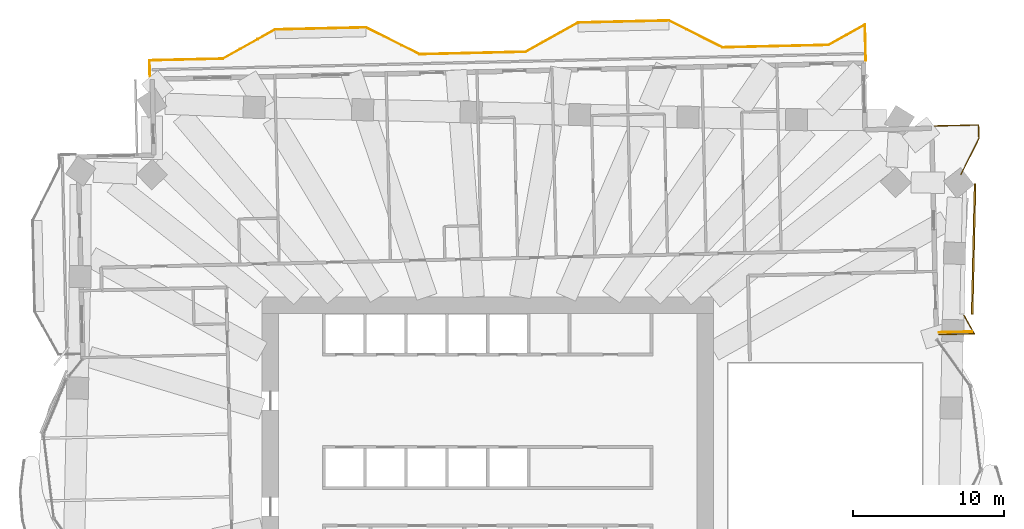
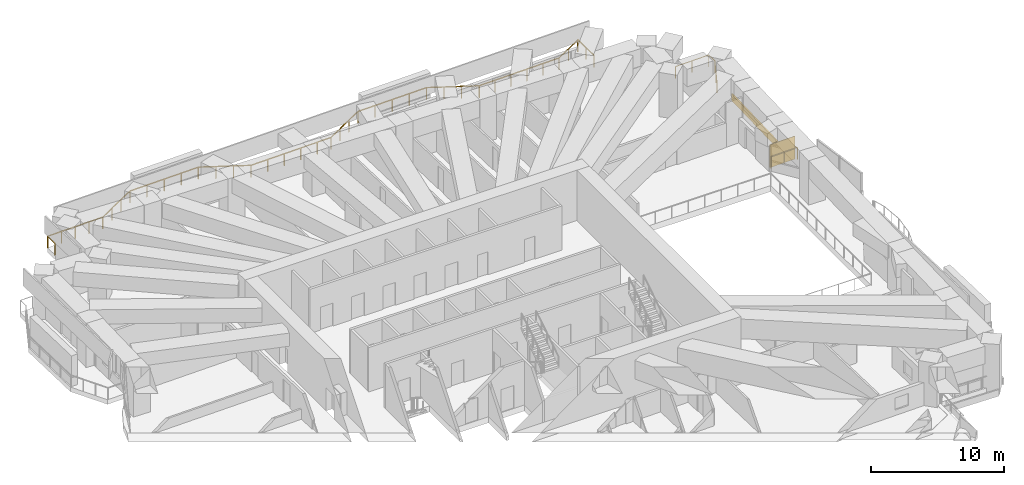
# One storey, part 20 of 20: 3 railings, 1 covering, 1 shading device.
"""IFC4 building model written with IfcOpenShell, lengths in metres."""

from ifc_helpers import new_model, si_unit, direction, frame, frame_2d, origin, origin_2d, place, context, subcontext, project, spatial, rectangle, extrude, material, layer, layer_set, type_object, element, save


model = new_model("IFC4")

# Units and contexts
model_context = context("Model", 3, precision=1e-05, world=origin(), true_north=direction((0.0, 1.0)))
body_context = subcontext(model_context, "Body", "Model", "MODEL_VIEW")
ifc_project = project(units=[si_unit("LENGTHUNIT", "METRE"), si_unit("AREAUNIT", "SQUARE_METRE"), si_unit("VOLUMEUNIT", "CUBIC_METRE"), si_unit("PLANEANGLEUNIT", "RADIAN"), si_unit("MASSUNIT", "GRAM", prefix="KILO")], contexts=[model_context])

# Site, building, storey
site_placement = place(None, origin())
site = spatial("IfcSite", under=ifc_project, at=site_placement, CompositionType="ELEMENT")
building_placement = place(site_placement, origin())
building = spatial("IfcBuilding", under=site, at=building_placement, Name="Mangrove Gate Tower", CompositionType="ELEMENT")
storey_placement = place(building_placement, frame((0.0, 0.0, 74.699951171875)))
storey = spatial("IfcBuildingStorey", under=building, at=storey_placement, Name="L18", CompositionType="ELEMENT", Elevation=74.699951171875)

# Railings
ifc_material_1 = material(Name="Stainless steel grade 316 with laminated glass infill", Category="steel")
railing_type = type_object("IfcRailingType", Name="Balcony guard 1100", PredefinedType="GUARDRAIL", material=ifc_material_1)
railing_1_placement = place(storey_placement, frame((29.806884765625, 9.4169921875, 0.0)))
element("IfcRailing", 1, at=railing_1_placement, inside=storey, type_object=railing_type, Name="GUARD L18 E2", PredefinedType="GUARDRAIL", context=body_context, shape_type="SweptSolid", body=[
    extrude(rectangle(XDim=0.048095703125, YDim=0.048095703125, at=origin_2d()), frame((0.0, 0.0, 1.076171875), z_axis=(0.9997382857, 0.022877065063, 0.0), x_axis=(-0.022877065063, 0.9997382857, 0.0)), (0.0, 0.0, 1.0), 2.315673828125),
    extrude(rectangle(XDim=0.048095703125, YDim=0.048095703125, at=origin_2d()), frame((2.315185546875, 0.052978515625, 1.076171875), z_axis=(-0.487400691487, 0.873178427321, 0.0), x_axis=(-0.873178427321, -0.487400691487, 0.0)), (0.0, 0.0, 1.0), 1.37890625),
    extrude(rectangle(XDim=0.0419921875, YDim=0.0419921875, at=origin_2d()), origin(), (0.0, 0.0, 1.0), 1.052001953125),
    extrude(rectangle(XDim=0.0419921875, YDim=0.0419921875, at=origin_2d()), frame((1.15771484375, 0.0263671875, 0.0)), (0.0, 0.0, 1.0), 1.052001953125),
    extrude(rectangle(XDim=0.0419921875, YDim=0.0419921875, at=origin_2d()), frame((2.315185546875, 0.052978515625, 0.0)), (0.0, 0.0, 1.0), 1.052001953125),
    extrude(rectangle(XDim=0.0419921875, YDim=0.0419921875, at=origin_2d()), frame((1.64306640625, 1.257080078125, 0.0)), (0.0, 0.0, 1.0), 1.052001953125),
])
railing_2_placement = place(storey_placement, frame((31.23388671875, 19.97509765625, 0.0)))
element("IfcRailing", 2, at=railing_2_placement, inside=storey, type_object=railing_type, Name="GUARD L18 E3", PredefinedType="GUARDRAIL", context=body_context, shape_type="SweptSolid", body=[
    extrude(rectangle(XDim=0.048095703125, YDim=0.048095703125, at=origin_2d()), frame((0.0, 0.0, 1.076171875), z_axis=(0.447286994937, 0.894390487517, 0.0), x_axis=(-0.894390487517, 0.447286994937, 0.0)), (0.0, 0.0, 1.0), 2.660888671875),
    extrude(rectangle(XDim=0.048095703125, YDim=0.048095703125, at=origin_2d()), frame((1.190185546875, 2.3798828125, 1.076171875), z_axis=(-0.022264984402, 0.999752104509, 0.0), x_axis=(-0.999752104509, -0.022264984402, 0.0)), (0.0, 0.0, 1.0), 0.899169921875),
    extrude(rectangle(XDim=0.048095703125, YDim=0.048095703125, at=origin_2d()), frame((1.170166015625, 3.27880859375, 1.076171875), z_axis=(-0.999743349437, -0.022654696127, 0.0), x_axis=(0.022654696127, -0.999743349437, 0.0)), (0.0, 0.0, 1.0), 2.90966796875),
    extrude(rectangle(XDim=0.0419921875, YDim=0.0419921875, at=origin_2d()), origin(), (0.0, 0.0, 1.0), 1.052001953125),
    extrude(rectangle(XDim=0.0419921875, YDim=0.0419921875, at=origin_2d()), frame((0.59521484375, 1.18994140625, 0.0)), (0.0, 0.0, 1.0), 1.052001953125),
    extrude(rectangle(XDim=0.0419921875, YDim=0.0419921875, at=origin_2d()), frame((1.190185546875, 2.3798828125, 0.0)), (0.0, 0.0, 1.0), 1.052001953125),
    extrude(rectangle(XDim=0.0419921875, YDim=0.0419921875, at=origin_2d()), frame((1.170166015625, 3.27880859375, 0.0)), (0.0, 0.0, 1.0), 1.052001953125),
    extrude(rectangle(XDim=0.0419921875, YDim=0.0419921875, at=origin_2d()), frame((-0.2841796875, 3.245849609375, 0.0)), (0.0, 0.0, 1.0), 1.052001953125),
    extrude(rectangle(XDim=0.0419921875, YDim=0.0419921875, at=origin_2d()), frame((-1.73876953125, 3.212890625, 0.0)), (0.0, 0.0, 1.0), 1.052001953125),
])
railing_3_placement = place(storey_placement, frame((24.955078125, 27.527099609375, 0.0)))
element("IfcRailing", 3, at=railing_3_placement, inside=storey, type_object=railing_type, Name="GUARD L18 N1", PredefinedType="GUARDRAIL", context=body_context, shape_type="SweptSolid", body=[
    extrude(rectangle(XDim=0.048095703125, YDim=0.048095703125, at=origin_2d()), frame((0.0, 0.0, 1.076171875), z_axis=(-0.022567849065, 0.999745313662, 0.0), x_axis=(-0.999745313662, -0.022567849065, 0.0)), (0.0, 0.0, 1.0), 2.347412109375),
    extrude(rectangle(XDim=0.048095703125, YDim=0.048095703125, at=origin_2d()), frame((-0.052978515625, 2.346923828125, 1.076171875), z_axis=(-0.873177532783, -0.487402294048, 0.0), x_axis=(0.487402294048, -0.873177532783, 0.0)), (0.0, 0.0, 1.0), 2.75537109375),
    extrude(rectangle(XDim=0.048095703125, YDim=0.048095703125, at=origin_2d()), frame((-2.458984375, 1.00390625, 1.076171875), z_axis=(-0.999742267452, -0.022702393474, 0.0), x_axis=(0.022702393474, -0.999742267452, 0.0)), (0.0, 0.0, 1.0), 7.000732421875),
    extrude(rectangle(XDim=0.048095703125, YDim=0.048095703125, at=origin_2d()), frame((-9.4580078125, 0.844970703125, 1.076171875), z_axis=(-0.894476522376, 0.447114919141, 0.0), x_axis=(-0.447114919141, -0.894476522376, 0.0)), (0.0, 0.0, 1.0), 3.958740234375),
    extrude(rectangle(XDim=0.048095703125, YDim=0.048095703125, at=origin_2d()), frame((-12.9990234375, 2.614990234375, 1.076171875), z_axis=(-0.999743094499, -0.022665943652, 0.0), x_axis=(0.022665943652, -0.999743094499, 0.0)), (0.0, 0.0, 1.0), 5.99951171875),
    extrude(rectangle(XDim=0.048095703125, YDim=0.048095703125, at=origin_2d()), frame((-18.9970703125, 2.47900390625, 1.076171875), z_axis=(-0.873230657876, -0.487307108654, 0.0), x_axis=(0.487307108654, -0.873230657876, 0.0)), (0.0, 0.0, 1.0), 3.958984375),
    extrude(rectangle(XDim=0.048095703125, YDim=0.048095703125, at=origin_2d()), frame((-22.4541015625, 0.5498046875, 1.076171875), z_axis=(-0.99974965137, -0.022374865036, 0.0), x_axis=(0.022374865036, -0.99974965137, 0.0)), (0.0, 0.0, 1.0), 1.2001953125),
    extrude(rectangle(XDim=0.048095703125, YDim=0.048095703125, at=origin_2d()), frame((-23.654052734375, 0.52294921875, 1.076171875), z_axis=(-0.999740638867, -0.0227739983, 0.0), x_axis=(0.0227739983, -0.999740638867, 0.0)), (0.0, 0.0, 1.0), 5.799560546875),
    extrude(rectangle(XDim=0.048095703125, YDim=0.048095703125, at=origin_2d()), frame((-29.4521484375, 0.390869140625, 1.076171875), z_axis=(-0.894427191, 0.4472135955, 0.0), x_axis=(-0.4472135955, -0.894427191, 0.0)), (0.0, 0.0, 1.0), 3.9599609375),
    extrude(rectangle(XDim=0.048095703125, YDim=0.048095703125, at=origin_2d()), frame((-32.994140625, 2.161865234375, 1.076171875), z_axis=(-0.999739392852, -0.022828630714, 0.0), x_axis=(0.022828630714, -0.999739392852, 0.0)), (0.0, 0.0, 1.0), 5.99951171875),
    extrude(rectangle(XDim=0.048095703125, YDim=0.048095703125, at=origin_2d()), frame((-38.9921875, 2.02490234375, 1.076171875), z_axis=(-0.873242256246, -0.487286324359, 0.0), x_axis=(0.487286324359, -0.873242256246, 0.0)), (0.0, 0.0, 1.0), 3.95849609375),
    extrude(rectangle(XDim=0.048095703125, YDim=0.048095703125, at=origin_2d()), frame((-42.448974609375, 0.095947265625, 1.076171875), z_axis=(-0.999745393509, -0.022564311583, 0.0), x_axis=(0.022564311583, -0.999745393509, 0.0)), (0.0, 0.0, 1.0), 4.83642578125),
    extrude(rectangle(XDim=0.048095703125, YDim=0.048095703125, at=origin_2d()), frame((-47.2841796875, -0.01318359375, 1.076171875), z_axis=(0.022799876723, -0.999740049023, 0.0), x_axis=(0.999740049023, 0.022799876723, 0.0)), (0.0, 0.0, 1.0), 1.06005859375),
    extrude(rectangle(XDim=0.0419921875, YDim=0.0419921875, at=origin_2d()), origin(), (0.0, 0.0, 1.0), 1.052001953125),
    extrude(rectangle(XDim=0.0419921875, YDim=0.0419921875, at=origin_2d()), frame((-0.0263671875, 1.17333984375, 0.0)), (0.0, 0.0, 1.0), 1.052001953125),
    extrude(rectangle(XDim=0.0419921875, YDim=0.0419921875, at=origin_2d()), frame((-0.052978515625, 2.346923828125, 0.0)), (0.0, 0.0, 1.0), 1.052001953125),
    extrude(rectangle(XDim=0.0419921875, YDim=0.0419921875, at=origin_2d()), frame((-1.255859375, 1.67529296875, 0.0)), (0.0, 0.0, 1.0), 1.052001953125),
    extrude(rectangle(XDim=0.0419921875, YDim=0.0419921875, at=origin_2d()), frame((-2.458984375, 1.00390625, 0.0)), (0.0, 0.0, 1.0), 1.052001953125),
    extrude(rectangle(XDim=0.0419921875, YDim=0.0419921875, at=origin_2d()), frame((-3.85888671875, 0.97216796875, 0.0)), (0.0, 0.0, 1.0), 1.052001953125),
    extrude(rectangle(XDim=0.0419921875, YDim=0.0419921875, at=origin_2d()), frame((-5.258544921875, 0.9404296875, 0.0)), (0.0, 0.0, 1.0), 1.052001953125),
    extrude(rectangle(XDim=0.0419921875, YDim=0.0419921875, at=origin_2d()), frame((-6.658447265625, 0.908447265625, 0.0)), (0.0, 0.0, 1.0), 1.052001953125),
    extrude(rectangle(XDim=0.0419921875, YDim=0.0419921875, at=origin_2d()), frame((-8.05810546875, 0.876708984375, 0.0)), (0.0, 0.0, 1.0), 1.052001953125),
    extrude(rectangle(XDim=0.0419921875, YDim=0.0419921875, at=origin_2d()), frame((-9.4580078125, 0.844970703125, 0.0)), (0.0, 0.0, 1.0), 1.052001953125),
    extrude(rectangle(XDim=0.0419921875, YDim=0.0419921875, at=origin_2d()), frame((-10.638427734375, 1.43505859375, 0.0)), (0.0, 0.0, 1.0), 1.052001953125),
    extrude(rectangle(XDim=0.0419921875, YDim=0.0419921875, at=origin_2d()), frame((-11.818603515625, 2.02490234375, 0.0)), (0.0, 0.0, 1.0), 1.052001953125),
    extrude(rectangle(XDim=0.0419921875, YDim=0.0419921875, at=origin_2d()), frame((-12.9990234375, 2.614990234375, 0.0)), (0.0, 0.0, 1.0), 1.052001953125),
    extrude(rectangle(XDim=0.0419921875, YDim=0.0419921875, at=origin_2d()), frame((-14.49853515625, 2.5810546875, 0.0)), (0.0, 0.0, 1.0), 1.052001953125),
    extrude(rectangle(XDim=0.0419921875, YDim=0.0419921875, at=origin_2d()), frame((-15.998046875, 2.546875, 0.0)), (0.0, 0.0, 1.0), 1.052001953125),
    extrude(rectangle(XDim=0.0419921875, YDim=0.0419921875, at=origin_2d()), frame((-17.49755859375, 2.512939453125, 0.0)), (0.0, 0.0, 1.0), 1.052001953125),
    extrude(rectangle(XDim=0.0419921875, YDim=0.0419921875, at=origin_2d()), frame((-18.9970703125, 2.47900390625, 0.0)), (0.0, 0.0, 1.0), 1.052001953125),
    extrude(rectangle(XDim=0.0419921875, YDim=0.0419921875, at=origin_2d()), frame((-20.1494140625, 1.8359375, 0.0)), (0.0, 0.0, 1.0), 1.052001953125),
    extrude(rectangle(XDim=0.0419921875, YDim=0.0419921875, at=origin_2d()), frame((-21.3017578125, 1.19287109375, 0.0)), (0.0, 0.0, 1.0), 1.052001953125),
    extrude(rectangle(XDim=0.0419921875, YDim=0.0419921875, at=origin_2d()), frame((-22.4541015625, 0.5498046875, 0.0)), (0.0, 0.0, 1.0), 1.052001953125),
    extrude(rectangle(XDim=0.0419921875, YDim=0.0419921875, at=origin_2d()), frame((-23.654052734375, 0.52294921875, 0.0)), (0.0, 0.0, 1.0), 1.052001953125),
    extrude(rectangle(XDim=0.0419921875, YDim=0.0419921875, at=origin_2d()), frame((-25.103515625, 0.489990234375, 0.0)), (0.0, 0.0, 1.0), 1.052001953125),
    extrude(rectangle(XDim=0.0419921875, YDim=0.0419921875, at=origin_2d()), frame((-26.55322265625, 0.45703125, 0.0)), (0.0, 0.0, 1.0), 1.052001953125),
    extrude(rectangle(XDim=0.0419921875, YDim=0.0419921875, at=origin_2d()), frame((-28.002685546875, 0.423828125, 0.0)), (0.0, 0.0, 1.0), 1.052001953125),
    extrude(rectangle(XDim=0.0419921875, YDim=0.0419921875, at=origin_2d()), frame((-29.4521484375, 0.390869140625, 0.0)), (0.0, 0.0, 1.0), 1.052001953125),
    extrude(rectangle(XDim=0.0419921875, YDim=0.0419921875, at=origin_2d()), frame((-30.6328125, 0.981201171875, 0.0)), (0.0, 0.0, 1.0), 1.052001953125),
    extrude(rectangle(XDim=0.0419921875, YDim=0.0419921875, at=origin_2d()), frame((-31.8134765625, 1.571533203125, 0.0)), (0.0, 0.0, 1.0), 1.052001953125),
    extrude(rectangle(XDim=0.0419921875, YDim=0.0419921875, at=origin_2d()), frame((-32.994140625, 2.161865234375, 0.0)), (0.0, 0.0, 1.0), 1.052001953125),
    extrude(rectangle(XDim=0.0419921875, YDim=0.0419921875, at=origin_2d()), frame((-34.49365234375, 2.127685546875, 0.0)), (0.0, 0.0, 1.0), 1.052001953125),
    extrude(rectangle(XDim=0.0419921875, YDim=0.0419921875, at=origin_2d()), frame((-35.9931640625, 2.09326171875, 0.0)), (0.0, 0.0, 1.0), 1.052001953125),
    extrude(rectangle(XDim=0.0419921875, YDim=0.0419921875, at=origin_2d()), frame((-37.49267578125, 2.05908203125, 0.0)), (0.0, 0.0, 1.0), 1.052001953125),
    extrude(rectangle(XDim=0.0419921875, YDim=0.0419921875, at=origin_2d()), frame((-38.9921875, 2.02490234375, 0.0)), (0.0, 0.0, 1.0), 1.052001953125),
    extrude(rectangle(XDim=0.0419921875, YDim=0.0419921875, at=origin_2d()), frame((-40.14453125, 1.3818359375, 0.0)), (0.0, 0.0, 1.0), 1.052001953125),
    extrude(rectangle(XDim=0.0419921875, YDim=0.0419921875, at=origin_2d()), frame((-41.296630859375, 0.739013671875, 0.0)), (0.0, 0.0, 1.0), 1.052001953125),
    extrude(rectangle(XDim=0.0419921875, YDim=0.0419921875, at=origin_2d()), frame((-42.448974609375, 0.095947265625, 0.0)), (0.0, 0.0, 1.0), 1.052001953125),
    extrude(rectangle(XDim=0.0419921875, YDim=0.0419921875, at=origin_2d()), frame((-43.65771484375, 0.068603515625, 0.0)), (0.0, 0.0, 1.0), 1.052001953125),
    extrude(rectangle(XDim=0.0419921875, YDim=0.0419921875, at=origin_2d()), frame((-44.86669921875, 0.04150390625, 0.0)), (0.0, 0.0, 1.0), 1.052001953125),
    extrude(rectangle(XDim=0.0419921875, YDim=0.0419921875, at=origin_2d()), frame((-46.075439453125, 0.01416015625, 0.0)), (0.0, 0.0, 1.0), 1.052001953125),
    extrude(rectangle(XDim=0.0419921875, YDim=0.0419921875, at=origin_2d()), frame((-47.2841796875, -0.01318359375, 0.0)), (0.0, 0.0, 1.0), 1.052001953125),
    extrude(rectangle(XDim=0.0419921875, YDim=0.0419921875, at=origin_2d()), frame((-47.260009765625, -1.072998046875, 0.0)), (0.0, 0.0, 1.0), 1.052001953125),
])

# Shading device
ifc_material_2 = material(Name="Timber slat screen in teak", Category="wood")
shading_device_type = type_object("IfcShadingDeviceType", Name="Balcony screen 2100", PredefinedType="USERDEFINED", material=ifc_material_2)
shading_device_placement = place(storey_placement, frame((30.881103515625, 9.58203125, 0.0), z_axis=(0.0, 0.0, 1.0), x_axis=(0.999736234843, 0.022966513488, 0.0)))
element("IfcShadingDevice", 4, at=shading_device_placement, inside=storey, type_object=shading_device_type, Name="SCREEN L18 E1", ObjectType="SCREEN", PredefinedType="USERDEFINED", context=body_context, shape_type="SweptSolid", body=[
    extrude(rectangle(XDim=2.196044921875, YDim=0.050048828125, at=origin_2d()), origin(), (0.0, 0.0, 1.0), 2.10009765625),
])

# Covering
ifc_material_3 = material(Name="Limestone", Category="masonry")
ifc_layer_1 = layer(ifc_material_3, 0.0400390625, Name="Limestone cladding")
ifc_material_4 = material(Name="Stainless steel anchors and cavity", Category="steel")
ifc_layer_2 = layer(ifc_material_4, 0.080078125, Name="Fixing cavity")
ifc_layer_set = layer_set([ifc_layer_1, ifc_layer_2], Name="Joint fascia cladding 120")
covering_type = type_object("IfcCoveringType", Name="Joint fascia cladding 120", PredefinedType="CLADDING", material=ifc_layer_set)
covering_placement = place(storey_placement, frame((32.172119140625, 19.362060546875, -0.599853515625), z_axis=(0.0, 0.0, 1.0), x_axis=(-0.022676277331, -0.999742860163, 0.0)))
element("IfcCovering", 5, at=covering_placement, inside=storey, type_object=covering_type, Name="STONE FASCIA L18 TB12-1.1", PredefinedType="CLADDING", context=body_context, shape_type="SweptSolid", body=[
    extrude(rectangle(XDim=8.602294921875, YDim=0.1201171875, at=frame_2d((4.30126953125, 0.0))), origin(), (0.0, 0.0, 1.0), 0.599853515625),
])

save(model, "model.ifc")
